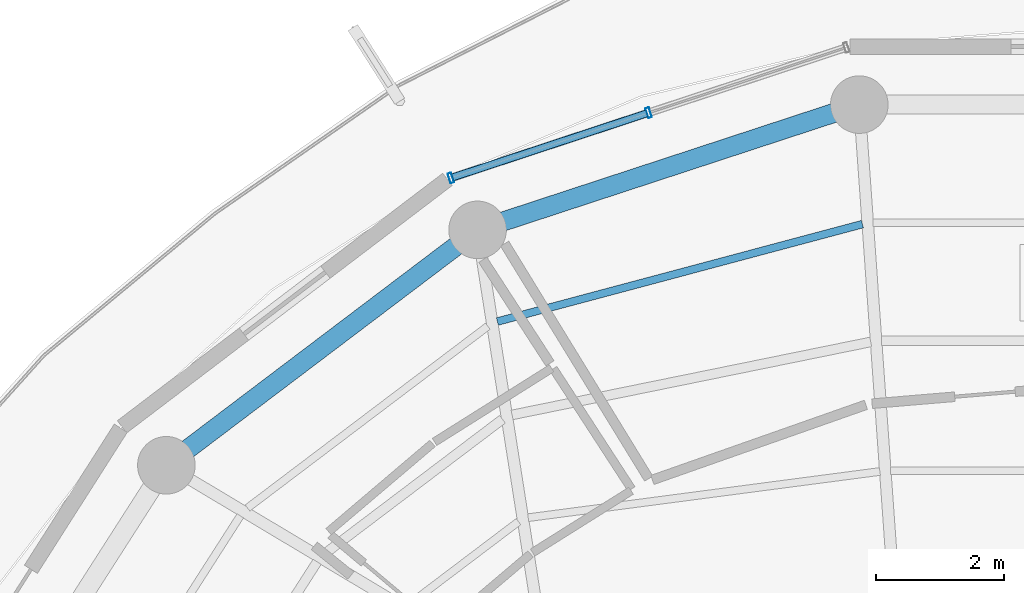
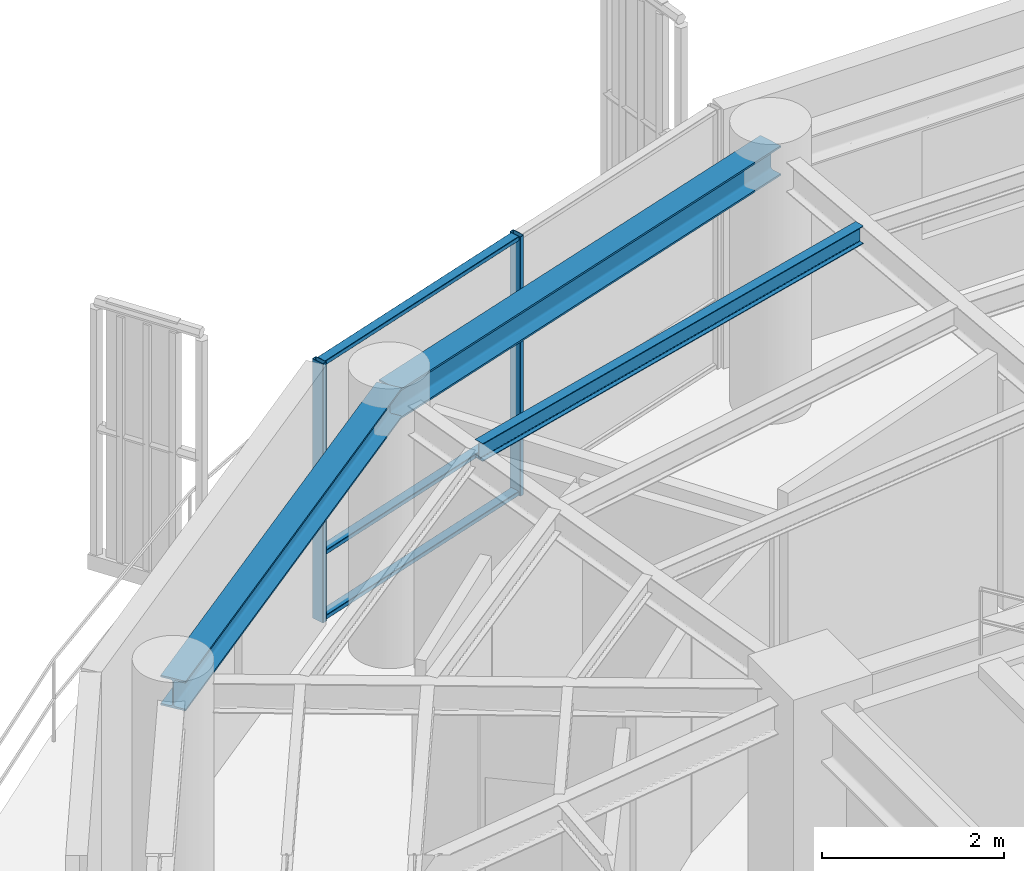
# One storey, part 11 of 22: 5 members, 3 beams, 1 element without a shape of its own.
"""IFC4 building model written with IfcOpenShell, lengths in metres."""

from ifc_helpers import new_model, si_unit, direction, frame, origin, origin_2d, place, context, subcontext, project, spatial, hollow_rectangle, i_section, extrude, material, layer, layer_set, material_profile, profile_set, type_object, element, aggregate, save


model = new_model("IFC4")

# Units and contexts
model_context = context("Model", 3, precision=1e-05, world=origin(), true_north=direction((0.0, 1.0)))
body_context = subcontext(model_context, "Body", "Model", "MODEL_VIEW")
ifc_project = project(units=[si_unit("LENGTHUNIT", "METRE"), si_unit("AREAUNIT", "SQUARE_METRE"), si_unit("VOLUMEUNIT", "CUBIC_METRE"), si_unit("PLANEANGLEUNIT", "RADIAN"), si_unit("MASSUNIT", "GRAM", prefix="KILO")], contexts=[model_context])

# Site, building, storey
site_placement = place(None, origin())
site = spatial("IfcSite", under=ifc_project, at=site_placement, CompositionType="ELEMENT")
building_placement = place(site_placement, origin())
building = spatial("IfcBuilding", under=site, at=building_placement, Name="Kelanora Arch Commons", CompositionType="ELEMENT")
storey_placement = place(building_placement, frame((0.0, 0.0, 271.199951171875)))
storey = spatial("IfcBuildingStorey", under=building, at=storey_placement, Name="L69", CompositionType="ELEMENT", Elevation=271.199951171875)

# Beams
ifc_material_1 = material(Name="Steel S355", Category="steel")
ifc_material_profile_1 = material_profile(ifc_material_1, i_section(OverallWidth=0.1201171875, OverallDepth=0.239990234375, WebThickness=0.006103515625, FlangeThickness=0.009765625, FilletRadius=0.014892578125, at=origin_2d()), Name="IPE240")
ifc_profile_set_1 = profile_set([ifc_material_profile_1], Name="Steel S355")
beam_type_1 = type_object("IfcBeamType", Name="BM-JST-02", PredefinedType="JOIST", material=ifc_profile_set_1)
beam_1_placement = place(storey_placement, frame((70.87451171875, 72.36181640625, 3.3701171875), z_axis=(-0.966190312964, -0.257829942278, 0.0), x_axis=(0.257829942278, -0.966190312964, 0.0)))
element("IfcBeam", 1, at=beam_1_placement, inside=storey, type_object=beam_type_1, Name="Secondary Chord Joist BJC-10 L69", PredefinedType="JOIST", context=body_context, shape_type="SweptSolid", body=[
    extrude(i_section(OverallWidth=0.1201171875, OverallDepth=0.239990234375, WebThickness=0.006103515625, FlangeThickness=0.009765625, FilletRadius=0.014892578125, at=origin_2d()), origin(), (0.0, 0.0, 1.0), 5.904052734375),
])
ifc_material_profile_2 = material_profile(ifc_material_1, i_section(OverallWidth=0.300048828125, OverallDepth=0.39990234375, WebThickness=0.013427734375, FlangeThickness=0.02392578125, FilletRadius=0.027099609375, at=origin_2d()), Name="HEB400")
ifc_profile_set_2 = profile_set([ifc_material_profile_2], Name="Steel S355")
beam_type_2 = type_object("IfcBeamType", Name="BM-SPN-Z4", PredefinedType="SPANDREL", material=ifc_profile_set_2)
beam_2_placement = place(storey_placement, frame((70.82568359375, 74.2294921875, 3.2900390625), z_axis=(-0.950165923039, -0.311744636996, 0.0), x_axis=(0.311744636996, -0.950165923039, 0.0)))
element("IfcBeam", 2, at=beam_2_placement, inside=storey, type_object=beam_type_2, Name="Perimeter Spandrel Beam BS-10 L69", PredefinedType="SPANDREL", context=body_context, shape_type="SweptSolid", body=[
    extrude(i_section(OverallWidth=0.300048828125, OverallDepth=0.39990234375, WebThickness=0.013427734375, FlangeThickness=0.02392578125, FilletRadius=0.027099609375, at=origin_2d()), origin(), (0.0, 0.0, 1.0), 6.278564453125),
])
beam_3_placement = place(storey_placement, frame((64.860107421875, 72.272216796875, 3.2900390625), z_axis=(-0.797509460967, -0.603306439273, 0.0), x_axis=(0.603306439273, -0.797509460967, 0.0)))
element("IfcBeam", 3, at=beam_3_placement, inside=storey, type_object=beam_type_2, Name="Perimeter Spandrel Beam BS-12 L69", PredefinedType="SPANDREL", context=body_context, shape_type="SweptSolid", body=[
    extrude(i_section(OverallWidth=0.300048828125, OverallDepth=0.39990234375, WebThickness=0.013427734375, FlangeThickness=0.02392578125, FilletRadius=0.027099609375, at=origin_2d()), origin(), (0.0, 0.0, 1.0), 6.098388671875),
])

# Curtain wall, members
ifc_material_2 = material(Name="Terracotta ceramic-fritted low-E glass and aluminium", Category="masonry")
ifc_layer = layer(ifc_material_2, 0.18994140625)
ifc_layer_set = layer_set([ifc_layer], Name="Terracotta ceramic-fritted low-E glass and aluminium")
curtain_wall_type = type_object("IfcCurtainWallType", Name="CW-SYS-03", PredefinedType="NOTDEFINED", material=ifc_layer_set)
curtain_wall_placement = place(storey_placement, origin())
curtain_wall = element("IfcCurtainWall", 4, at=curtain_wall_placement, inside=storey, type_object=curtain_wall_type, Name="Unitised Curtain Wall L69-B05", PredefinedType="NOTDEFINED")
ifc_material_3 = material(Name="Powder-coated aluminium terracotta", Category="masonry")
ifc_material_profile_3 = material_profile(ifc_material_3, hollow_rectangle(XDim=0.159912109375, YDim=0.06005859375, WallThickness=0.0048828125, InnerFilletRadius=0.0048828125, OuterFilletRadius=0.010009765625, at=origin_2d()), Name="CWM160x60")
ifc_profile_set_3 = profile_set([ifc_material_profile_3], Name="Powder-coated aluminium terracotta")
member_type_1 = type_object("IfcMemberType", Name="CWM-STD", PredefinedType="MULLION", material=ifc_profile_set_3)
member_1_placement = place(storey_placement, frame((67.532958984375, 74.102294921875, 0.0), z_axis=(0.0, 0.0, 1.0), x_axis=(0.313252785344, -0.949669780752, 0.0)))
member_1 = element("IfcMember", 5, at=member_1_placement, type_object=member_type_1, Name="CW-03 mullion 2", PredefinedType="MULLION", context=body_context, shape_type="SweptSolid", body=[
    extrude(hollow_rectangle(XDim=0.159912109375, YDim=0.06005859375, WallThickness=0.0048828125, InnerFilletRadius=0.0048828125, OuterFilletRadius=0.010009765625, at=origin_2d()), origin(), (0.0, 0.0, 1.0), 3.47509765625),
])
member_2_placement = place(storey_placement, frame((64.442626953125, 73.0830078125, 0.0), z_axis=(0.0, 0.0, 1.0), x_axis=(0.313252785344, -0.949669780752, 0.0)))
member_2 = element("IfcMember", 6, at=member_2_placement, type_object=member_type_1, Name="CW-03 mullion 3", PredefinedType="MULLION", context=body_context, shape_type="SweptSolid", body=[
    extrude(hollow_rectangle(XDim=0.159912109375, YDim=0.06005859375, WallThickness=0.0048828125, InnerFilletRadius=0.0048828125, OuterFilletRadius=0.010009765625, at=origin_2d()), origin(), (0.0, 0.0, 1.0), 3.47509765625),
])
ifc_material_profile_4 = material_profile(ifc_material_3, hollow_rectangle(XDim=0.1201171875, YDim=0.06005859375, WallThickness=0.0048828125, InnerFilletRadius=0.0048828125, OuterFilletRadius=0.010009765625, at=origin_2d()), Name="CWT120x60")
ifc_profile_set_4 = profile_set([ifc_material_profile_4], Name="Powder-coated aluminium terracotta")
member_type_2 = type_object("IfcMemberType", Name="CWT-STD", PredefinedType="USERDEFINED", material=ifc_profile_set_4)
member_3_placement = place(storey_placement, frame((67.50439453125, 74.0927734375, 0.030029296875), z_axis=(-0.949672315102, -0.313245102003, 0.0), x_axis=(0.313245102003, -0.949672315102, 0.0)))
member_3 = element("IfcMember", 7, at=member_3_placement, type_object=member_type_2, Name="CW-03 transom 2.1", ObjectType="TRANSOM", PredefinedType="USERDEFINED", context=body_context, shape_type="SweptSolid", body=[
    extrude(hollow_rectangle(XDim=0.1201171875, YDim=0.06005859375, WallThickness=0.0048828125, InnerFilletRadius=0.0048828125, OuterFilletRadius=0.010009765625, at=origin_2d()), origin(), (0.0, 0.0, 1.0), 3.19384765625),
])
member_4_placement = place(storey_placement, frame((67.50439453125, 74.0927734375, 0.900146484375), z_axis=(-0.949672315102, -0.313245102003, 0.0), x_axis=(0.313245102003, -0.949672315102, 0.0)))
member_4 = element("IfcMember", 8, at=member_4_placement, type_object=member_type_2, Name="CW-03 transom 2.2", ObjectType="TRANSOM", PredefinedType="USERDEFINED", context=body_context, shape_type="SweptSolid", body=[
    extrude(hollow_rectangle(XDim=0.1201171875, YDim=0.06005859375, WallThickness=0.0048828125, InnerFilletRadius=0.0048828125, OuterFilletRadius=0.010009765625, at=origin_2d()), origin(), (0.0, 0.0, 1.0), 3.19384765625),
])
member_5_placement = place(storey_placement, frame((67.50439453125, 74.0927734375, 3.445068359375), z_axis=(-0.949672315102, -0.313245102003, 0.0), x_axis=(0.313245102003, -0.949672315102, 0.0)))
member_5 = element("IfcMember", 9, at=member_5_placement, type_object=member_type_2, Name="CW-03 transom 2.3", ObjectType="TRANSOM", PredefinedType="USERDEFINED", context=body_context, shape_type="SweptSolid", body=[
    extrude(hollow_rectangle(XDim=0.1201171875, YDim=0.06005859375, WallThickness=0.0048828125, InnerFilletRadius=0.0048828125, OuterFilletRadius=0.010009765625, at=origin_2d()), origin(), (0.0, 0.0, 1.0), 3.19384765625),
])
aggregate(curtain_wall, [member_1, member_2, member_3, member_4, member_5])

save(model, "model.ifc")
